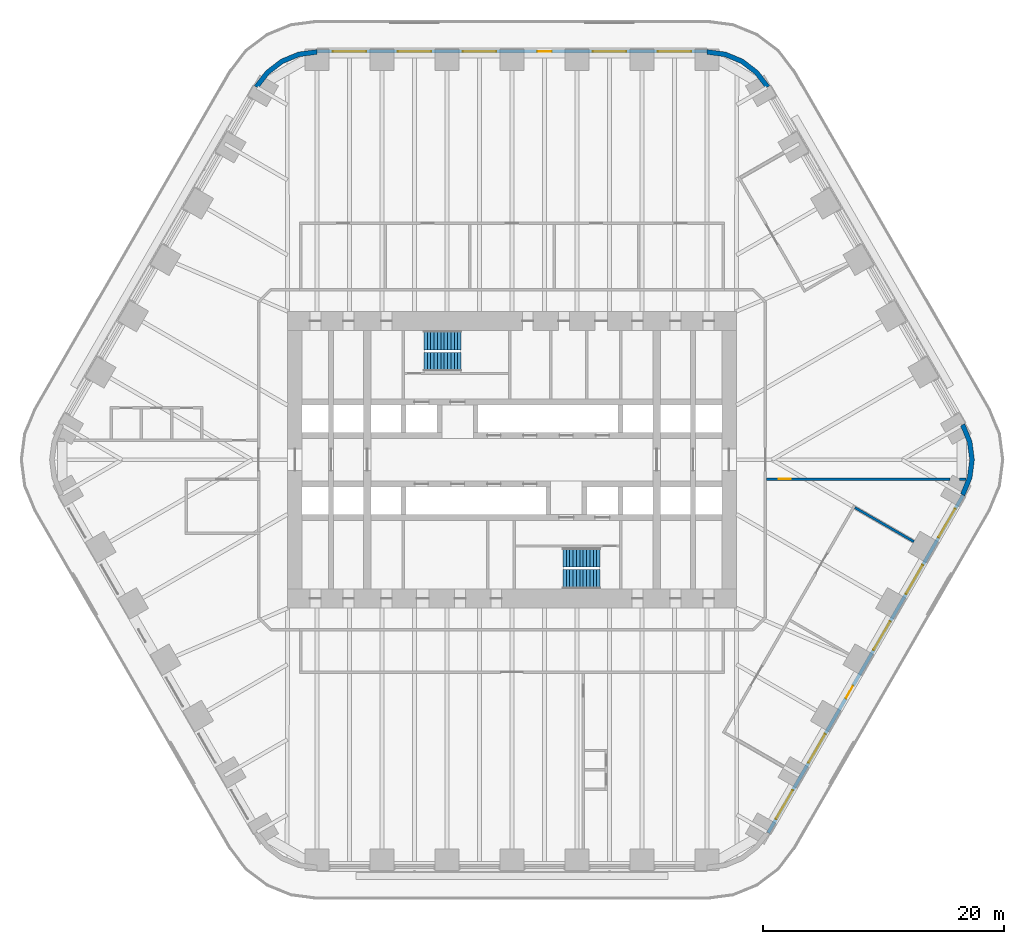
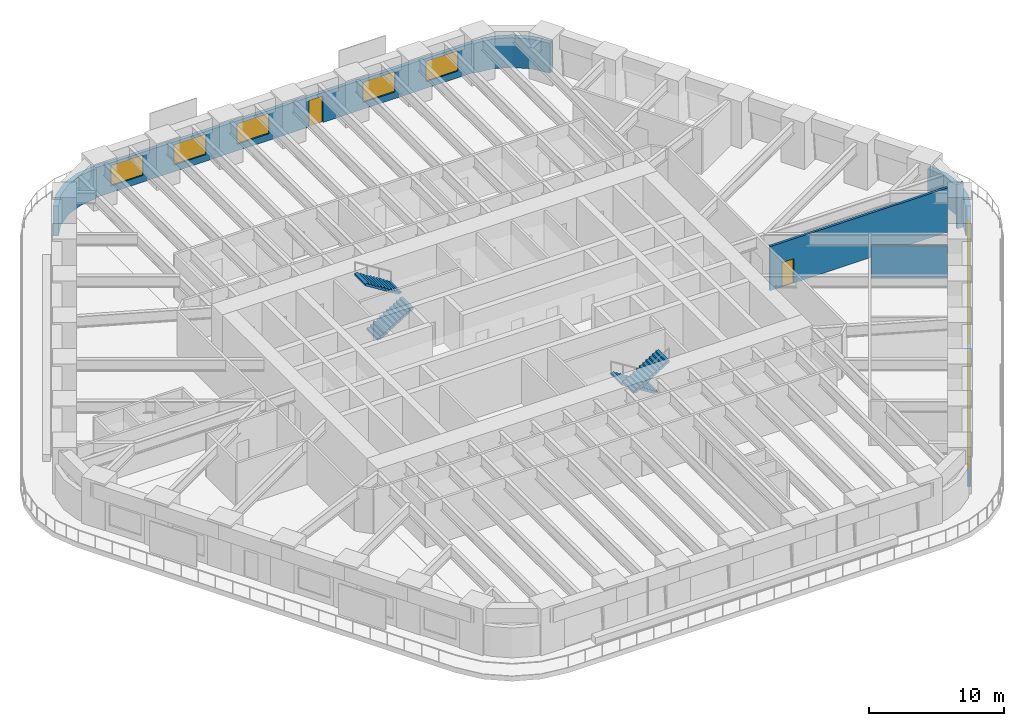
# One storey, part 20 of 23: 10 windows, 8 walls, 4 stair flights, 3 doors, 13 openings, 2 elements without a shape of their own.
"""IFC4 building model written with IfcOpenShell, lengths in metres."""

from ifc_helpers import new_model, si_unit, direction, frame, frame_2d, origin, place, context, subcontext, project, spatial, polyline, rectangle, outline, extrude, material, layer, layer_set, type_object, element, fill, aggregate, save


model = new_model("IFC4")

# Units and contexts
model_context = context("Model", 3, precision=1e-05, world=origin(), true_north=direction((0.0, 1.0)))
body_context = subcontext(model_context, "Body", "Model", "MODEL_VIEW")
ifc_project = project(units=[si_unit("LENGTHUNIT", "METRE"), si_unit("AREAUNIT", "SQUARE_METRE"), si_unit("VOLUMEUNIT", "CUBIC_METRE"), si_unit("PLANEANGLEUNIT", "RADIAN"), si_unit("MASSUNIT", "GRAM", prefix="KILO")], contexts=[model_context])

# Site, building, storey
site_placement = place(None, origin())
site = spatial("IfcSite", under=ifc_project, at=site_placement, CompositionType="ELEMENT")
building_placement = place(site_placement, origin())
building = spatial("IfcBuilding", under=site, at=building_placement, Name="Tarfa Lantern Tower", CompositionType="ELEMENT")
storey_placement = place(building_placement, frame((0.0, 0.0, 61.300048828125)))
storey = spatial("IfcBuildingStorey", under=building, at=storey_placement, Name="L13", CompositionType="ELEMENT", Elevation=61.300048828125)

# Wall, openings, door, windows
ifc_material_1 = material(Name="Limestone cladding on blockwork", Category="masonry")
ifc_layer_1 = layer(ifc_material_1, 0.300048828125)
ifc_layer_set_1 = layer_set([ifc_layer_1], Name="EW1 STONE-CLAD WALL 300")
wall_type_1 = type_object("IfcWallType", Name="EW1 STONE-CLAD WALL 300", PredefinedType="SOLIDWALL", material=ifc_layer_set_1)
wall_1_placement = place(storey_placement, frame((16.165771484375, 33.85009765625, 0.0), z_axis=(0.0, 0.0, 1.0), x_axis=(-1.0, 0.0, 0.0)))
wall_1 = element("IfcWall", 1, at=wall_1_placement, inside=storey, type_object=wall_type_1, Name="Stone wall N", PredefinedType="SOLIDWALL", context=body_context, shape_type="SweptSolid", body=[
    extrude(rectangle(XDim=32.33154296875, YDim=0.300048828125, at=frame_2d((16.165771484375, 0.0))), origin(), (0.0, 0.0, 1.0), 2.699951171875),
])
opening_1_placement = place(wall_1_placement, frame((1.3193359375, 0.0, 0.60009765625)))
opening_1 = element("IfcOpeningElement", 2, at=opening_1_placement, cuts=wall_1, Name="Opening W2", PredefinedType="OPENING", context=body_context, shape_type="SweptSolid", body=[
    extrude(rectangle(XDim=2.75, YDim=1.85009765625, at=frame_2d((1.375, 0.925048828125))), frame((0.0, 0.159912109375, 0.0), z_axis=(0.0, -1.0, 0.0), x_axis=(1.0, 0.0, 0.0)), (0.0, 0.0, 1.0), 0.320068359375),
])
opening_2_placement = place(wall_1_placement, frame((6.7080078125, 0.0, 0.60009765625)))
opening_2 = element("IfcOpeningElement", 3, at=opening_2_placement, cuts=wall_1, Name="Opening W2", PredefinedType="OPENING", context=body_context, shape_type="SweptSolid", body=[
    extrude(rectangle(XDim=2.75, YDim=1.85009765625, at=frame_2d((1.375, 0.925048828125))), frame((0.0, 0.159912109375, 0.0), z_axis=(0.0, -1.0, 0.0), x_axis=(1.0, 0.0, 0.0)), (0.0, 0.0, 1.0), 0.320068359375),
])
opening_3_placement = place(wall_1_placement, frame((12.87158203125, 0.0, 0.0)))
opening_3 = element("IfcOpeningElement", 4, at=opening_3_placement, cuts=wall_1, Name="Opening D49", PredefinedType="OPENING", context=body_context, shape_type="SweptSolid", body=[
    extrude(rectangle(XDim=1.199951171875, YDim=2.39990234375, at=frame_2d((0.60009765625, 1.199951171875))), frame((0.0, 0.159912109375, 0.0), z_axis=(0.0, -1.0, 0.0), x_axis=(1.0, 0.0, 0.0)), (0.0, 0.0, 1.0), 0.320068359375),
])
opening_4_placement = place(wall_1_placement, frame((17.485107421875, 0.0, 0.60009765625)))
opening_4 = element("IfcOpeningElement", 5, at=opening_4_placement, cuts=wall_1, Name="Opening W2", PredefinedType="OPENING", context=body_context, shape_type="SweptSolid", body=[
    extrude(rectangle(XDim=2.75, YDim=1.85009765625, at=frame_2d((1.375, 0.925048828125))), frame((0.0, 0.159912109375, 0.0), z_axis=(0.0, -1.0, 0.0), x_axis=(1.0, 0.0, 0.0)), (0.0, 0.0, 1.0), 0.320068359375),
])
opening_5_placement = place(wall_1_placement, frame((22.873779296875, 0.0, 0.60009765625)))
opening_5 = element("IfcOpeningElement", 6, at=opening_5_placement, cuts=wall_1, Name="Opening W2", PredefinedType="OPENING", context=body_context, shape_type="SweptSolid", body=[
    extrude(rectangle(XDim=2.75, YDim=1.85009765625, at=frame_2d((1.375, 0.925048828125))), frame((0.0, 0.159912109375, 0.0), z_axis=(0.0, -1.0, 0.0), x_axis=(1.0, 0.0, 0.0)), (0.0, 0.0, 1.0), 0.320068359375),
])
opening_6_placement = place(wall_1_placement, frame((28.26220703125, 0.0, 0.60009765625)))
opening_6 = element("IfcOpeningElement", 7, at=opening_6_placement, cuts=wall_1, Name="Opening W2", PredefinedType="OPENING", context=body_context, shape_type="SweptSolid", body=[
    extrude(rectangle(XDim=2.75, YDim=1.85009765625, at=frame_2d((1.375, 0.925048828125))), frame((0.0, 0.159912109375, 0.0), z_axis=(0.0, -1.0, 0.0), x_axis=(1.0, 0.0, 0.0)), (0.0, 0.0, 1.0), 0.320068359375),
])
ifc_material_2 = material(Name="Aluminium framed glazed door", Category="aluminium")
door_type_1 = type_object("IfcDoorType", Name="BE3 BALCONY DOOR 1200x2400", OperationType="SINGLE_SWING_RIGHT", PredefinedType="DOOR", material=ifc_material_2)
door_1_placement = place(opening_3_placement, origin())
door_1 = element("IfcDoor", 8, at=door_1_placement, inside=storey, type_object=door_type_1, Name="Balcony door N", OperationType="SINGLE_SWING_RIGHT", OverallHeight=2.39990234375, OverallWidth=1.199951171875, PredefinedType="DOOR", context=body_context, shape_type="SweptSolid", body=[
    extrude(rectangle(XDim=1.199951171875, YDim=2.39990234375, at=frame_2d((0.60009765625, 1.199951171875))), frame((0.0, 0.02490234375, 0.0), z_axis=(0.0, -1.0, 0.0), x_axis=(1.0, 0.0, 0.0)), (0.0, 0.0, 1.0), 0.050048828125),
])
fill(opening_3, door_1)
ifc_material_3 = material(Name="Aluminium frame, double glazed", Category="aluminium")
window_type = type_object("IfcWindowType", Name="W2 FULL-HEIGHT GLAZING 2750x1850", PartitioningType="SINGLE_PANEL", PredefinedType="WINDOW", material=ifc_material_3)
window_1_placement = place(opening_1_placement, origin())
window_1 = element("IfcWindow", 9, at=window_1_placement, inside=storey, type_object=window_type, Name="Window N 1", OverallHeight=1.85009765625, OverallWidth=2.75, PartitioningType="SINGLE_PANEL", PredefinedType="WINDOW", context=body_context, shape_type="SweptSolid", body=[
    extrude(rectangle(XDim=2.75, YDim=1.85009765625, at=frame_2d((1.375, 0.925048828125))), frame((0.0, 0.030029296875, 0.0), z_axis=(0.0, -1.0, 0.0), x_axis=(1.0, 0.0, 0.0)), (0.0, 0.0, 1.0), 0.06005859375),
])
fill(opening_1, window_1)
window_2_placement = place(opening_2_placement, origin())
window_2 = element("IfcWindow", 10, at=window_2_placement, inside=storey, type_object=window_type, Name="Window N 2", OverallHeight=1.85009765625, OverallWidth=2.75, PartitioningType="SINGLE_PANEL", PredefinedType="WINDOW", context=body_context, shape_type="SweptSolid", body=[
    extrude(rectangle(XDim=2.75, YDim=1.85009765625, at=frame_2d((1.375, 0.925048828125))), frame((0.0, 0.030029296875, 0.0), z_axis=(0.0, -1.0, 0.0), x_axis=(1.0, 0.0, 0.0)), (0.0, 0.0, 1.0), 0.06005859375),
])
fill(opening_2, window_2)
window_3_placement = place(opening_4_placement, origin())
window_3 = element("IfcWindow", 11, at=window_3_placement, inside=storey, type_object=window_type, Name="Window N 4", OverallHeight=1.85009765625, OverallWidth=2.75, PartitioningType="SINGLE_PANEL", PredefinedType="WINDOW", context=body_context, shape_type="SweptSolid", body=[
    extrude(rectangle(XDim=2.75, YDim=1.85009765625, at=frame_2d((1.375, 0.925048828125))), frame((0.0, 0.030029296875, 0.0), z_axis=(0.0, -1.0, 0.0), x_axis=(1.0, 0.0, 0.0)), (0.0, 0.0, 1.0), 0.06005859375),
])
fill(opening_4, window_3)
window_4_placement = place(opening_5_placement, origin())
window_4 = element("IfcWindow", 12, at=window_4_placement, inside=storey, type_object=window_type, Name="Window N 5", OverallHeight=1.85009765625, OverallWidth=2.75, PartitioningType="SINGLE_PANEL", PredefinedType="WINDOW", context=body_context, shape_type="SweptSolid", body=[
    extrude(rectangle(XDim=2.75, YDim=1.85009765625, at=frame_2d((1.375, 0.925048828125))), frame((0.0, 0.030029296875, 0.0), z_axis=(0.0, -1.0, 0.0), x_axis=(1.0, 0.0, 0.0)), (0.0, 0.0, 1.0), 0.06005859375),
])
fill(opening_5, window_4)
window_5_placement = place(opening_6_placement, origin())
window_5 = element("IfcWindow", 13, at=window_5_placement, inside=storey, type_object=window_type, Name="Window N 6", OverallHeight=1.85009765625, OverallWidth=2.75, PartitioningType="SINGLE_PANEL", PredefinedType="WINDOW", context=body_context, shape_type="SweptSolid", body=[
    extrude(rectangle(XDim=2.75, YDim=1.85009765625, at=frame_2d((1.375, 0.925048828125))), frame((0.0, 0.030029296875, 0.0), z_axis=(0.0, -1.0, 0.0), x_axis=(1.0, 0.0, 0.0)), (0.0, 0.0, 1.0), 0.06005859375),
])
fill(opening_6, window_5)

wall_2_placement = place(storey_placement, frame((21.232177734375, -30.925048828125, 0.0), z_axis=(0.0, 0.0, 1.0), x_axis=(0.499999163675, 0.866025886636, 0.0)))
wall_2 = element("IfcWall", 14, at=wall_2_placement, inside=storey, type_object=wall_type_1, Name="Stone wall SE", PredefinedType="SOLIDWALL", context=body_context, shape_type="SweptSolid", body=[
    extrude(rectangle(XDim=32.33154296875, YDim=0.300048828125, at=frame_2d((16.165771484375, 0.0))), origin(), (0.0, 0.0, 1.0), 2.699951171875),
])
opening_7_placement = place(wall_2_placement, frame((1.3193359375, 0.0, 0.60009765625)))
opening_7 = element("IfcOpeningElement", 15, at=opening_7_placement, cuts=wall_2, Name="Opening W2", PredefinedType="OPENING", context=body_context, shape_type="SweptSolid", body=[
    extrude(rectangle(XDim=2.75, YDim=1.85009765625, at=frame_2d((1.375, 0.925048828125))), frame((0.0, 0.159912109375, 0.0), z_axis=(0.0, -1.0, 0.0), x_axis=(1.0, 0.0, 0.0)), (0.0, 0.0, 1.0), 0.320068359375),
])
opening_8_placement = place(wall_2_placement, frame((6.7080078125, 0.0, 0.60009765625)))
opening_8 = element("IfcOpeningElement", 16, at=opening_8_placement, cuts=wall_2, Name="Opening W2", PredefinedType="OPENING", context=body_context, shape_type="SweptSolid", body=[
    extrude(rectangle(XDim=2.75, YDim=1.85009765625, at=frame_2d((1.375, 0.925048828125))), frame((0.0, 0.159912109375, 0.0), z_axis=(0.0, -1.0, 0.0), x_axis=(1.0, 0.0, 0.0)), (0.0, 0.0, 1.0), 0.320068359375),
])
opening_9_placement = place(wall_2_placement, frame((12.87158203125, 0.0, 0.0)))
opening_9 = element("IfcOpeningElement", 17, at=opening_9_placement, cuts=wall_2, Name="Opening D50", PredefinedType="OPENING", context=body_context, shape_type="SweptSolid", body=[
    extrude(rectangle(XDim=1.199951171875, YDim=2.39990234375, at=frame_2d((0.60009765625, 1.199951171875))), frame((0.0, 0.159912109375, 0.0), z_axis=(0.0, -1.0, 0.0), x_axis=(1.0, 0.0, 0.0)), (0.0, 0.0, 1.0), 0.320068359375),
])
opening_10_placement = place(wall_2_placement, frame((17.485107421875, 0.0, 0.60009765625)))
opening_10 = element("IfcOpeningElement", 18, at=opening_10_placement, cuts=wall_2, Name="Opening W2", PredefinedType="OPENING", context=body_context, shape_type="SweptSolid", body=[
    extrude(rectangle(XDim=2.75, YDim=1.85009765625, at=frame_2d((1.375, 0.925048828125))), frame((0.0, 0.159912109375, 0.0), z_axis=(0.0, -1.0, 0.0), x_axis=(1.0, 0.0, 0.0)), (0.0, 0.0, 1.0), 0.320068359375),
])
opening_11_placement = place(wall_2_placement, frame((22.873779296875, 0.0, 0.60009765625)))
opening_11 = element("IfcOpeningElement", 19, at=opening_11_placement, cuts=wall_2, Name="Opening W2", PredefinedType="OPENING", context=body_context, shape_type="SweptSolid", body=[
    extrude(rectangle(XDim=2.75, YDim=1.85009765625, at=frame_2d((1.375, 0.925048828125))), frame((0.0, 0.159912109375, 0.0), z_axis=(0.0, -1.0, 0.0), x_axis=(1.0, 0.0, 0.0)), (0.0, 0.0, 1.0), 0.320068359375),
])
opening_12_placement = place(wall_2_placement, frame((28.26220703125, 0.0, 0.60009765625)))
opening_12 = element("IfcOpeningElement", 20, at=opening_12_placement, cuts=wall_2, Name="Opening W2", PredefinedType="OPENING", context=body_context, shape_type="SweptSolid", body=[
    extrude(rectangle(XDim=2.75, YDim=1.85009765625, at=frame_2d((1.375, 0.925048828125))), frame((0.0, 0.159912109375, 0.0), z_axis=(0.0, -1.0, 0.0), x_axis=(1.0, 0.0, 0.0)), (0.0, 0.0, 1.0), 0.320068359375),
])
door_2_placement = place(opening_9_placement, origin())
door_2 = element("IfcDoor", 21, at=door_2_placement, inside=storey, type_object=door_type_1, Name="Balcony door SE", OperationType="SINGLE_SWING_RIGHT", OverallHeight=2.39990234375, OverallWidth=1.199951171875, PredefinedType="DOOR", context=body_context, shape_type="SweptSolid", body=[
    extrude(rectangle(XDim=1.199951171875, YDim=2.39990234375, at=frame_2d((0.60009765625, 1.199951171875))), frame((0.0, 0.02490234375, 0.0), z_axis=(0.0, -1.0, 0.0), x_axis=(1.0, 0.0, 0.0)), (0.0, 0.0, 1.0), 0.050048828125),
])
fill(opening_9, door_2)
window_6_placement = place(opening_7_placement, origin())
window_6 = element("IfcWindow", 22, at=window_6_placement, inside=storey, type_object=window_type, Name="Window SE 1", OverallHeight=1.85009765625, OverallWidth=2.75, PartitioningType="SINGLE_PANEL", PredefinedType="WINDOW", context=body_context, shape_type="SweptSolid", body=[
    extrude(rectangle(XDim=2.75, YDim=1.85009765625, at=frame_2d((1.375, 0.925048828125))), frame((0.0, 0.030029296875, 0.0), z_axis=(0.0, -1.0, 0.0), x_axis=(1.0, 0.0, 0.0)), (0.0, 0.0, 1.0), 0.06005859375),
])
fill(opening_7, window_6)
window_7_placement = place(opening_8_placement, origin())
window_7 = element("IfcWindow", 23, at=window_7_placement, inside=storey, type_object=window_type, Name="Window SE 2", OverallHeight=1.85009765625, OverallWidth=2.75, PartitioningType="SINGLE_PANEL", PredefinedType="WINDOW", context=body_context, shape_type="SweptSolid", body=[
    extrude(rectangle(XDim=2.75, YDim=1.85009765625, at=frame_2d((1.375, 0.925048828125))), frame((0.0, 0.030029296875, 0.0), z_axis=(0.0, -1.0, 0.0), x_axis=(1.0, 0.0, 0.0)), (0.0, 0.0, 1.0), 0.06005859375),
])
fill(opening_8, window_7)
window_8_placement = place(opening_10_placement, origin())
window_8 = element("IfcWindow", 24, at=window_8_placement, inside=storey, type_object=window_type, Name="Window SE 4", OverallHeight=1.85009765625, OverallWidth=2.75, PartitioningType="SINGLE_PANEL", PredefinedType="WINDOW", context=body_context, shape_type="SweptSolid", body=[
    extrude(rectangle(XDim=2.75, YDim=1.85009765625, at=frame_2d((1.375, 0.925048828125))), frame((0.0, 0.030029296875, 0.0), z_axis=(0.0, -1.0, 0.0), x_axis=(1.0, 0.0, 0.0)), (0.0, 0.0, 1.0), 0.06005859375),
])
fill(opening_10, window_8)
window_9_placement = place(opening_11_placement, origin())
window_9 = element("IfcWindow", 25, at=window_9_placement, inside=storey, type_object=window_type, Name="Window SE 5", OverallHeight=1.85009765625, OverallWidth=2.75, PartitioningType="SINGLE_PANEL", PredefinedType="WINDOW", context=body_context, shape_type="SweptSolid", body=[
    extrude(rectangle(XDim=2.75, YDim=1.85009765625, at=frame_2d((1.375, 0.925048828125))), frame((0.0, 0.030029296875, 0.0), z_axis=(0.0, -1.0, 0.0), x_axis=(1.0, 0.0, 0.0)), (0.0, 0.0, 1.0), 0.06005859375),
])
fill(opening_11, window_9)
window_10_placement = place(opening_12_placement, origin())
window_10 = element("IfcWindow", 26, at=window_10_placement, inside=storey, type_object=window_type, Name="Window SE 6", OverallHeight=1.85009765625, OverallWidth=2.75, PartitioningType="SINGLE_PANEL", PredefinedType="WINDOW", context=body_context, shape_type="SweptSolid", body=[
    extrude(rectangle(XDim=2.75, YDim=1.85009765625, at=frame_2d((1.375, 0.925048828125))), frame((0.0, 0.030029296875, 0.0), z_axis=(0.0, -1.0, 0.0), x_axis=(1.0, 0.0, 0.0)), (0.0, 0.0, 1.0), 0.06005859375),
])
fill(opening_12, window_10)

# Walls
ifc_layer_2 = layer(ifc_material_1, 0.39990234375)
ifc_layer_set_2 = layer_set([ifc_layer_2], Name="EW2 CURVED STONE CORNER 400")
wall_type_2 = type_object("IfcWallType", Name="EW2 CURVED STONE CORNER 400", PredefinedType="SOLIDWALL", material=ifc_layer_set_2)
wall_3_placement = place(storey_placement, origin())
element("IfcWall", 27, at=wall_3_placement, inside=storey, type_object=wall_type_2, Name="Stone corner NE-N", PredefinedType="SOLIDWALL", context=body_context, shape_type="SweptSolid", body=[
    extrude(outline(polyline([(21.362060546875, 31.0), (20.408447265625, 32.24267578125), (19.165771484375, 33.196044921875), (17.71875, 33.795654296875), (16.165771484375, 34.0), (16.165771484375, 33.60009765625), (17.615234375, 33.4091796875), (18.9658203125, 32.849853515625), (20.12548828125, 31.959716796875), (21.015625, 30.800048828125), (21.362060546875, 31.0)])), origin(), (0.0, 0.0, 1.0), 2.699951171875),
])
wall_4_placement = place(storey_placement, origin())
element("IfcWall", 28, at=wall_4_placement, inside=storey, type_object=wall_type_2, Name="Stone corner N-NW", PredefinedType="SOLIDWALL", context=body_context, shape_type="SweptSolid", body=[
    extrude(outline(polyline([(-16.165771484375, 34.0), (-17.71875, 33.795654296875), (-19.165771484375, 33.196044921875), (-20.408447265625, 32.24267578125), (-21.362060546875, 31.0), (-21.015625, 30.800048828125), (-20.12548828125, 31.959716796875), (-18.9658203125, 32.849853515625), (-17.615234375, 33.4091796875), (-16.165771484375, 33.60009765625), (-16.165771484375, 34.0)])), origin(), (0.0, 0.0, 1.0), 2.699951171875),
])
wall_5_placement = place(storey_placement, origin())
element("IfcWall", 29, at=wall_5_placement, inside=storey, type_object=wall_type_2, Name="Stone corner SE-NE", PredefinedType="SOLIDWALL", context=body_context, shape_type="SweptSolid", body=[
    extrude(outline(polyline([(37.52783203125, -3.0), (38.127197265625, -1.552978515625), (38.33154296875, 0.0), (38.127197265625, 1.552978515625), (37.52783203125, 3.0), (37.181396484375, 2.800048828125), (37.74072265625, 1.449462890625), (37.931640625, 0.0), (37.74072265625, -1.449462890625), (37.181396484375, -2.800048828125), (37.52783203125, -3.0)])), origin(), (0.0, 0.0, 1.0), 2.699951171875),
])
ifc_material_4 = material(Name="Gypsum board on steel studs", Category="steel")
ifc_layer_3 = layer(ifc_material_4, 0.2099609375)
ifc_layer_set_3 = layer_set([ifc_layer_3], Name="IW2 ACOUSTIC PARTITION 200")
wall_type_3 = type_object("IfcWallType", Name="IW2 ACOUSTIC PARTITION 200", PredefinedType="PARTITIONING", material=ifc_layer_set_3)
wall_6_placement = place(storey_placement, frame((28.4248046875, -3.966552734375, 0.0), z_axis=(0.0, 0.0, 1.0), x_axis=(0.866011447264, -0.500024172624, 0.0)))
element("IfcWall", 30, at=wall_6_placement, inside=storey, type_object=wall_type_3, Name="Partition", PredefinedType="PARTITIONING", context=body_context, shape_type="SweptSolid", body=[
    extrude(rectangle(XDim=5.650146484375, YDim=0.199951171875, at=frame_2d((2.8251953125, 0.0))), origin(), (0.0, 0.0, 1.0), 2.94384765625),
])

# Wall, opening, door
wall_7_placement = place(storey_placement, frame((21.10009765625, -1.60009765625, 0.0), z_axis=(0.0, 0.0, 1.0), x_axis=(1.0, 0.0, 0.0)))
wall_7 = element("IfcWall", 31, at=wall_7_placement, inside=storey, type_object=wall_type_3, Name="Partition", PredefinedType="PARTITIONING", context=body_context, shape_type="SweptSolid", body=[
    extrude(rectangle(XDim=15.21533203125, YDim=0.199951171875, at=frame_2d((7.607666015625, 0.0))), origin(), (0.0, 0.0, 1.0), 4.0),
])
opening_13_placement = place(wall_7_placement, frame((1.021484375, 0.0, 0.0)))
opening_13 = element("IfcOpeningElement", 32, at=opening_13_placement, cuts=wall_7, Name="Opening D46", PredefinedType="OPENING", context=body_context, shape_type="SweptSolid", body=[
    extrude(rectangle(XDim=1.0, YDim=2.199951171875, at=frame_2d((0.5, 1.10009765625))), frame((0.0, 0.10986328125, 0.0), z_axis=(0.0, -1.0, 0.0), x_axis=(1.0, 0.0, 0.0)), (0.0, 0.0, 1.0), 0.219970703125),
])
ifc_material_5 = material(Name="Timber door", Category="wood")
door_type_2 = type_object("IfcDoorType", Name="DR1 ROOM DOOR 1000x2200", OperationType="SINGLE_SWING_LEFT", PredefinedType="DOOR", material=ifc_material_5)
door_3_placement = place(opening_13_placement, frame((1.0, 0.0, 0.0), z_axis=(0.0, 0.0, 1.0), x_axis=(-1.0, 0.0, 0.0)))
door_3 = element("IfcDoor", 33, at=door_3_placement, inside=storey, type_object=door_type_2, Name="Zone door", OperationType="SINGLE_SWING_LEFT", OverallHeight=2.199951171875, OverallWidth=1.0, PredefinedType="DOOR", context=body_context, shape_type="SweptSolid", body=[
    extrude(rectangle(XDim=1.0, YDim=2.199951171875, at=frame_2d((0.5, 1.10009765625))), frame((0.0, 0.02490234375, 0.0), z_axis=(0.0, -1.0, 0.0), x_axis=(1.0, 0.0, 0.0)), (0.0, 0.0, 1.0), 0.050048828125),
])
fill(opening_13, door_3)

# Wall
wall_8_placement = place(storey_placement, frame((37.102783203125, -1.60009765625, 0.0), z_axis=(0.0, 0.0, 1.0), x_axis=(1.0, 0.0, 0.0)))
element("IfcWall", 34, at=wall_8_placement, inside=storey, type_object=wall_type_3, Name="Partition", PredefinedType="PARTITIONING", context=body_context, shape_type="SweptSolid", body=[
    extrude(rectangle(XDim=0.534423828125, YDim=0.199951171875, at=frame_2d((0.26708984375, 0.0))), origin(), (0.0, 0.0, 1.0), 4.0),
])

# Stair, stair flights
ifc_material_6 = material(Name="Concrete C40/50", Category="concrete")
stair_type = type_object("IfcStairType", Name="ST-T10 HALF-TURN STAIR 4200 RISE", PredefinedType="HALF_TURN_STAIR", material=ifc_material_6)
stair_1_placement = place(storey_placement, origin())
stair_1 = element("IfcStair", 35, at=stair_1_placement, inside=storey, type_object=stair_type, Name="Stair ST1", PredefinedType="HALF_TURN_STAIR")
stair_flight_type = type_object("IfcStairFlightType", Name="SF1 STAIR FLIGHT", PredefinedType="STRAIGHT", material=ifc_material_6)
stair_flight_1_placement = place(storey_placement, frame((-7.300048828125, 8.10009765625, 0.0), z_axis=(0.0, 0.0, 1.0), x_axis=(1.0, 0.0, 0.0)))
stair_flight_1 = element("IfcStairFlight", 36, at=stair_flight_1_placement, type_object=stair_flight_type, Name="ST1 flight 1", NumberOfRisers=12, NumberOfTreads=11, PredefinedType="STRAIGHT", RiserHeight=0.175, TreadLength=0.28, context=body_context, shape_type="SweptSolid", body=[
    extrude(outline(polyline([(0.0, 0.0), (0.0, 0.175048828125), (0.280029296875, 0.175048828125), (0.280029296875, 0.35009765625), (0.56005859375, 0.35009765625), (0.56005859375, 0.52490234375), (0.840087890625, 0.52490234375), (0.840087890625, 0.699951171875), (1.1201171875, 0.699951171875), (1.1201171875, 0.875), (1.39990234375, 0.875), (1.39990234375, 1.050048828125), (1.679931640625, 1.050048828125), (1.679931640625, 1.22509765625), (1.9599609375, 1.22509765625), (1.9599609375, 1.39990234375), (2.239990234375, 1.39990234375), (2.239990234375, 1.574951171875), (2.52001953125, 1.574951171875), (2.52001953125, 1.75), (2.800048828125, 1.75), (2.800048828125, 1.925048828125), (3.080078125, 1.925048828125), (3.080078125, 2.10009765625), (3.080078125, 1.748291015625), (0.28271484375, 0.0), (0.0, 0.0)])), frame((0.0, 0.800048828125, 0.0), z_axis=(0.0, -1.0, 0.0), x_axis=(1.0, 0.0, 0.0)), (0.0, 0.0, 1.0), 1.60009765625),
])
stair_flight_2_placement = place(storey_placement, frame((-4.219970703125, 9.89990234375, 2.099853515625), z_axis=(0.0, 0.0, 1.0), x_axis=(-1.0, 0.0, 0.0)))
stair_flight_2 = element("IfcStairFlight", 37, at=stair_flight_2_placement, type_object=stair_flight_type, Name="ST1 flight 2", NumberOfRisers=12, NumberOfTreads=11, PredefinedType="STRAIGHT", RiserHeight=0.175, TreadLength=0.28, context=body_context, shape_type="SweptSolid", body=[
    extrude(outline(polyline([(0.0, 0.0), (0.0, 0.175048828125), (0.280029296875, 0.175048828125), (0.280029296875, 0.35009765625), (0.56005859375, 0.35009765625), (0.56005859375, 0.52490234375), (0.840087890625, 0.52490234375), (0.840087890625, 0.699951171875), (1.1201171875, 0.699951171875), (1.1201171875, 0.875), (1.39990234375, 0.875), (1.39990234375, 1.050048828125), (1.679931640625, 1.050048828125), (1.679931640625, 1.22509765625), (1.9599609375, 1.22509765625), (1.9599609375, 1.39990234375), (2.239990234375, 1.39990234375), (2.239990234375, 1.574951171875), (2.52001953125, 1.574951171875), (2.52001953125, 1.75), (2.800048828125, 1.75), (2.800048828125, 1.925048828125), (3.080078125, 1.925048828125), (3.080078125, 2.10009765625), (3.080078125, 1.748291015625), (0.28271484375, 0.0), (0.0, 0.0)])), frame((0.0, 0.800048828125, 0.0), z_axis=(0.0, -1.0, 0.0), x_axis=(1.0, 0.0, 0.0)), (0.0, 0.0, 1.0), 1.60009765625),
])
aggregate(stair_1, [stair_flight_1, stair_flight_2])

stair_2_placement = place(storey_placement, origin())
stair_2 = element("IfcStair", 38, at=stair_2_placement, inside=storey, type_object=stair_type, Name="Stair ST2", PredefinedType="HALF_TURN_STAIR")
stair_flight_3_placement = place(storey_placement, frame((7.300048828125, -8.10009765625, 0.0), z_axis=(0.0, 0.0, 1.0), x_axis=(-1.0, 0.0, 0.0)))
stair_flight_3 = element("IfcStairFlight", 39, at=stair_flight_3_placement, type_object=stair_flight_type, Name="ST2 flight 1", NumberOfRisers=12, NumberOfTreads=11, PredefinedType="STRAIGHT", RiserHeight=0.175, TreadLength=0.28, context=body_context, shape_type="SweptSolid", body=[
    extrude(outline(polyline([(0.0, 0.0), (0.0, 0.175048828125), (0.280029296875, 0.175048828125), (0.280029296875, 0.35009765625), (0.56005859375, 0.35009765625), (0.56005859375, 0.52490234375), (0.840087890625, 0.52490234375), (0.840087890625, 0.699951171875), (1.1201171875, 0.699951171875), (1.1201171875, 0.875), (1.39990234375, 0.875), (1.39990234375, 1.050048828125), (1.679931640625, 1.050048828125), (1.679931640625, 1.22509765625), (1.9599609375, 1.22509765625), (1.9599609375, 1.39990234375), (2.239990234375, 1.39990234375), (2.239990234375, 1.574951171875), (2.52001953125, 1.574951171875), (2.52001953125, 1.75), (2.800048828125, 1.75), (2.800048828125, 1.925048828125), (3.080078125, 1.925048828125), (3.080078125, 2.10009765625), (3.080078125, 1.748291015625), (0.28271484375, 0.0), (0.0, 0.0)])), frame((0.0, 0.800048828125, 0.0), z_axis=(0.0, -1.0, 0.0), x_axis=(1.0, 0.0, 0.0)), (0.0, 0.0, 1.0), 1.60009765625),
])
stair_flight_4_placement = place(storey_placement, frame((4.219970703125, -9.89990234375, 2.099853515625), z_axis=(0.0, 0.0, 1.0), x_axis=(1.0, 0.0, 0.0)))
stair_flight_4 = element("IfcStairFlight", 40, at=stair_flight_4_placement, type_object=stair_flight_type, Name="ST2 flight 2", NumberOfRisers=12, NumberOfTreads=11, PredefinedType="STRAIGHT", RiserHeight=0.175, TreadLength=0.28, context=body_context, shape_type="SweptSolid", body=[
    extrude(outline(polyline([(0.0, 0.0), (0.0, 0.175048828125), (0.280029296875, 0.175048828125), (0.280029296875, 0.35009765625), (0.56005859375, 0.35009765625), (0.56005859375, 0.52490234375), (0.840087890625, 0.52490234375), (0.840087890625, 0.699951171875), (1.1201171875, 0.699951171875), (1.1201171875, 0.875), (1.39990234375, 0.875), (1.39990234375, 1.050048828125), (1.679931640625, 1.050048828125), (1.679931640625, 1.22509765625), (1.9599609375, 1.22509765625), (1.9599609375, 1.39990234375), (2.239990234375, 1.39990234375), (2.239990234375, 1.574951171875), (2.52001953125, 1.574951171875), (2.52001953125, 1.75), (2.800048828125, 1.75), (2.800048828125, 1.925048828125), (3.080078125, 1.925048828125), (3.080078125, 2.10009765625), (3.080078125, 1.748291015625), (0.28271484375, 0.0), (0.0, 0.0)])), frame((0.0, 0.800048828125, 0.0), z_axis=(0.0, -1.0, 0.0), x_axis=(1.0, 0.0, 0.0)), (0.0, 0.0, 1.0), 1.60009765625),
])
aggregate(stair_2, [stair_flight_3, stair_flight_4])

save(model, "model.ifc")
